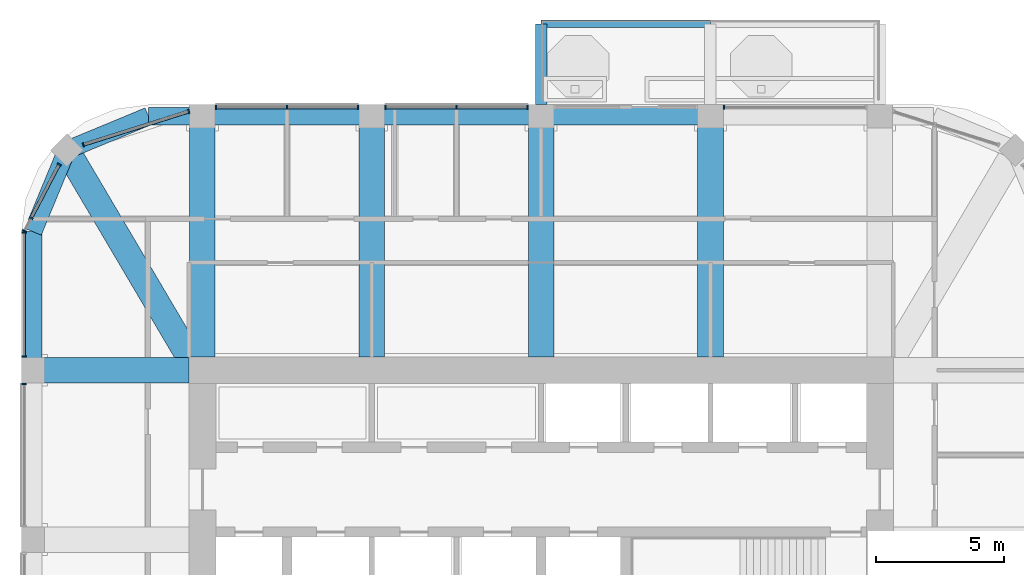
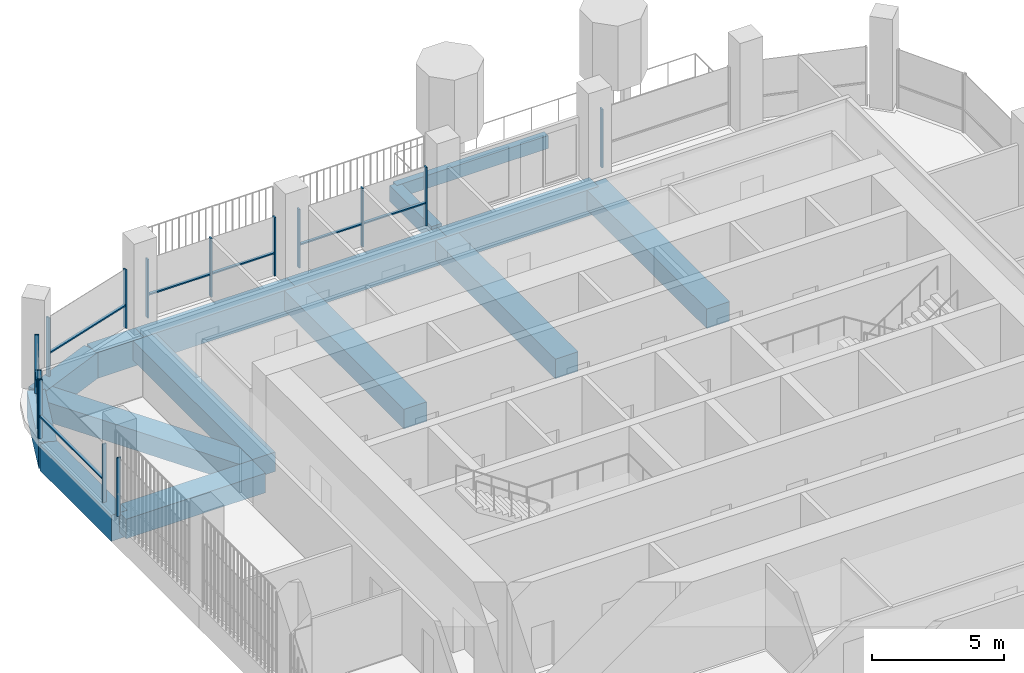
# One storey, part 6 of 21: 22 members, 15 beams, 7 elements without a shape of their own.
"""IFC4 building model written with IfcOpenShell, lengths in metres."""

from ifc_helpers import new_model, si_unit, direction, frame, origin, origin_2d, place, context, subcontext, project, spatial, rectangle, extrude, material, material_profile, profile_set, type_object, element, aggregate, save


model = new_model("IFC4")

# Units and contexts
model_context = context("Model", 3, precision=1e-05, world=origin(), true_north=direction((0.0, 1.0)))
body_context = subcontext(model_context, "Body", "Model", "MODEL_VIEW")
ifc_project = project(units=[si_unit("LENGTHUNIT", "METRE"), si_unit("AREAUNIT", "SQUARE_METRE"), si_unit("VOLUMEUNIT", "CUBIC_METRE"), si_unit("PLANEANGLEUNIT", "RADIAN"), si_unit("MASSUNIT", "GRAM", prefix="KILO")], contexts=[model_context])

# Site, building, storey
site_placement = place(None, origin())
site = spatial("IfcSite", under=ifc_project, at=site_placement, CompositionType="ELEMENT")
building_placement = place(site_placement, origin())
building = spatial("IfcBuilding", under=site, at=building_placement, Name="Cobogo Forest Laboratory Tower", CompositionType="ELEMENT")
storey_placement = place(building_placement, frame((0.0, 0.0, 275.39990234375)))
storey = spatial("IfcBuildingStorey", under=building, at=storey_placement, Name="L63", CompositionType="ELEMENT", Elevation=275.39990234375)

# Beams
ifc_material_1 = material(Name="Concrete HA-40 (C40/50)", Category="concrete")
ifc_material_profile_1 = material_profile(ifc_material_1, rectangle(XDim=0.449951171875, YDim=0.75, at=origin_2d()), Name="RC 450x750")
ifc_profile_set_1 = profile_set([ifc_material_profile_1], Name="Concrete HA-40 (C40/50)")
beam_type_1 = type_object("IfcBeamType", Name="Balcony cantilever beam 450x750", PredefinedType="BEAM", material=ifc_profile_set_1)
beam_1_placement = place(storey_placement, frame((26.39990234375, 43.35009765625, -0.625), z_axis=(0.0, 1.0, 0.0), x_axis=(-1.0, 0.0, 0.0)))
element("IfcBeam", 1, at=beam_1_placement, inside=storey, type_object=beam_type_1, Name="CB1 BAL-N1-C1 L63", PredefinedType="BEAM", context=body_context, shape_type="SweptSolid", body=[
    extrude(rectangle(XDim=0.449951171875, YDim=0.75, at=origin_2d()), origin(), (0.0, 0.0, 1.0), 3.14990234375),
])
ifc_material_profile_2 = material_profile(ifc_material_1, rectangle(XDim=0.300048828125, YDim=0.60009765625, at=origin_2d()), Name="RC 300x600")
ifc_profile_set_2 = profile_set([ifc_material_profile_2], Name="Concrete HA-40 (C40/50)")
beam_type_2 = type_object("IfcBeamType", Name="Balcony edge beam 300x600", PredefinedType="BEAM", material=ifc_profile_set_2)
beam_2_placement = place(storey_placement, frame((26.39990234375, 46.5, -0.5498046875), z_axis=(1.0, 0.0, 0.0), x_axis=(0.0, 1.0, 0.0)))
element("IfcBeam", 2, at=beam_2_placement, inside=storey, type_object=beam_type_2, Name="BB1 BAL-N1-T1 L63", PredefinedType="BEAM", context=body_context, shape_type="SweptSolid", body=[
    extrude(rectangle(XDim=0.300048828125, YDim=0.60009765625, at=origin_2d()), origin(), (0.0, 0.0, 1.0), 6.60009765625),
])

# Curtain wall, member
ifc_material_2 = material(Name="Aluminium curtain wall", Category="aluminium")
curtain_wall_type = type_object("IfcCurtainWallType", Name="CW-2 unitised curtain wall, solar control glazing, laboratory floors zones C and D", PredefinedType="USERDEFINED", material=ifc_material_2)
curtain_wall_1_placement = place(storey_placement, origin())
curtain_wall_1 = element("IfcCurtainWall", 3, at=curtain_wall_1_placement, inside=storey, type_object=curtain_wall_type, Name="Curtain wall 14 L63", ObjectType="UNITISED CURTAIN WALL", PredefinedType="USERDEFINED")
ifc_material_3 = material(Name="Aluminium mullion", Category="aluminium")
ifc_material_profile_3 = material_profile(ifc_material_3, rectangle(XDim=0.06005859375, YDim=0.159912109375, at=origin_2d()), Name="AL 60x160")
ifc_profile_set_3 = profile_set([ifc_material_profile_3], Name="Aluminium mullion")
member_type_1 = type_object("IfcMemberType", Name="MU-1 aluminium mullion 60x160", PredefinedType="MULLION", material=ifc_profile_set_3)
member_1_placement = place(storey_placement, frame((33.530029296875, 43.25, 0.0), z_axis=(0.0, 0.0, 1.0), x_axis=(-1.0, 0.0, 0.0)))
member_1 = element("IfcMember", 4, at=member_1_placement, type_object=member_type_1, Name="CW-2 mullion 2", PredefinedType="MULLION", context=body_context, shape_type="SweptSolid", body=[
    extrude(rectangle(XDim=0.06005859375, YDim=0.159912109375, at=origin_2d()), origin(), (0.0, 0.0, 1.0), 2.7001953125),
])
aggregate(curtain_wall_1, [member_1])

# Curtain wall, members
curtain_wall_2_placement = place(storey_placement, origin())
curtain_wall_2 = element("IfcCurtainWall", 5, at=curtain_wall_2_placement, inside=storey, type_object=curtain_wall_type, Name="Curtain wall 16 L63", ObjectType="UNITISED CURTAIN WALL", PredefinedType="USERDEFINED")
member_2_placement = place(storey_placement, frame((25.8701171875, 43.25, 0.0), z_axis=(0.0, 0.0, 1.0), x_axis=(-1.0, 0.0, 0.0)))
member_2 = element("IfcMember", 6, at=member_2_placement, type_object=member_type_1, Name="CW-2 mullion 1", PredefinedType="MULLION", context=body_context, shape_type="SweptSolid", body=[
    extrude(rectangle(XDim=0.06005859375, YDim=0.159912109375, at=origin_2d()), origin(), (0.0, 0.0, 1.0), 2.7001953125),
])
member_3_placement = place(storey_placement, frame((23.10009765625, 43.25, 0.0), z_axis=(0.0, 0.0, 1.0), x_axis=(-1.0, 0.0, 0.0)))
member_3 = element("IfcMember", 7, at=member_3_placement, type_object=member_type_1, Name="CW-2 mullion 2", PredefinedType="MULLION", context=body_context, shape_type="SweptSolid", body=[
    extrude(rectangle(XDim=0.06005859375, YDim=0.159912109375, at=origin_2d()), origin(), (0.0, 0.0, 1.0), 2.7001953125),
])
member_4_placement = place(storey_placement, frame((20.330078125, 43.25, 0.0), z_axis=(0.0, 0.0, 1.0), x_axis=(-1.0, 0.0, 0.0)))
member_4 = element("IfcMember", 8, at=member_4_placement, type_object=member_type_1, Name="CW-2 mullion 3", PredefinedType="MULLION", context=body_context, shape_type="SweptSolid", body=[
    extrude(rectangle(XDim=0.06005859375, YDim=0.159912109375, at=origin_2d()), origin(), (0.0, 0.0, 1.0), 2.7001953125),
])

curtain_wall_3_placement = place(storey_placement, origin())
curtain_wall_3 = element("IfcCurtainWall", 9, at=curtain_wall_3_placement, inside=storey, type_object=curtain_wall_type, Name="Curtain wall 17 L63", ObjectType="UNITISED CURTAIN WALL", PredefinedType="USERDEFINED")
member_5_placement = place(storey_placement, frame((19.27001953125, 43.25, 0.0), z_axis=(0.0, 0.0, 1.0), x_axis=(-1.0, 0.0, 0.0)))
member_5 = element("IfcMember", 10, at=member_5_placement, type_object=member_type_1, Name="CW-2 mullion 1", PredefinedType="MULLION", context=body_context, shape_type="SweptSolid", body=[
    extrude(rectangle(XDim=0.06005859375, YDim=0.159912109375, at=origin_2d()), origin(), (0.0, 0.0, 1.0), 2.7001953125),
])
member_6_placement = place(storey_placement, frame((16.5, 43.25, 0.0), z_axis=(0.0, 0.0, 1.0), x_axis=(-1.0, 0.0, 0.0)))
member_6 = element("IfcMember", 11, at=member_6_placement, type_object=member_type_1, Name="CW-2 mullion 2", PredefinedType="MULLION", context=body_context, shape_type="SweptSolid", body=[
    extrude(rectangle(XDim=0.06005859375, YDim=0.159912109375, at=origin_2d()), origin(), (0.0, 0.0, 1.0), 2.7001953125),
])
member_7_placement = place(storey_placement, frame((13.72998046875, 43.25, 0.0), z_axis=(0.0, 0.0, 1.0), x_axis=(-1.0, 0.0, 0.0)))
member_7 = element("IfcMember", 12, at=member_7_placement, type_object=member_type_1, Name="CW-2 mullion 3", PredefinedType="MULLION", context=body_context, shape_type="SweptSolid", body=[
    extrude(rectangle(XDim=0.06005859375, YDim=0.159912109375, at=origin_2d()), origin(), (0.0, 0.0, 1.0), 2.7001953125),
])

curtain_wall_4_placement = place(storey_placement, origin())
curtain_wall_4 = element("IfcCurtainWall", 13, at=curtain_wall_4_placement, inside=storey, type_object=curtain_wall_type, Name="Curtain wall 18 L63", ObjectType="UNITISED CURTAIN WALL", PredefinedType="USERDEFINED")
member_8_placement = place(storey_placement, frame((12.67138671875, 43.0830078125, 0.0), z_axis=(0.0, 0.0, 1.0), x_axis=(-0.953581379409, -0.301135439371, 0.0)))
member_8 = element("IfcMember", 14, at=member_8_placement, type_object=member_type_1, Name="CW-2 mullion 1", PredefinedType="MULLION", context=body_context, shape_type="SweptSolid", body=[
    extrude(rectangle(XDim=0.06005859375, YDim=0.159912109375, at=origin_2d()), origin(), (0.0, 0.0, 1.0), 2.7001953125),
])
member_9_placement = place(storey_placement, frame((8.570068359375, 41.787841796875, 0.0), z_axis=(0.0, 0.0, 1.0), x_axis=(-0.953581379409, -0.301135439371, 0.0)))
member_9 = element("IfcMember", 15, at=member_9_placement, type_object=member_type_1, Name="CW-2 mullion 2", PredefinedType="MULLION", context=body_context, shape_type="SweptSolid", body=[
    extrude(rectangle(XDim=0.06005859375, YDim=0.159912109375, at=origin_2d()), origin(), (0.0, 0.0, 1.0), 2.7001953125),
])

curtain_wall_5_placement = place(storey_placement, origin())
curtain_wall_5 = element("IfcCurtainWall", 16, at=curtain_wall_5_placement, inside=storey, type_object=curtain_wall_type, Name="Curtain wall 19 L63", ObjectType="UNITISED CURTAIN WALL", PredefinedType="USERDEFINED")
member_10_placement = place(storey_placement, frame((7.6220703125, 41.017333984375, 0.0), z_axis=(0.0, 0.0, 1.0), x_axis=(-0.464283778337, -0.885686498245, 0.0)))
member_10 = element("IfcMember", 17, at=member_10_placement, type_object=member_type_1, Name="CW-2 mullion 1", PredefinedType="MULLION", context=body_context, shape_type="SweptSolid", body=[
    extrude(rectangle(XDim=0.06005859375, YDim=0.159912109375, at=origin_2d()), origin(), (0.0, 0.0, 1.0), 2.7001953125),
])
member_11_placement = place(storey_placement, frame((6.531494140625, 38.937255859375, 0.0), z_axis=(0.0, 0.0, 1.0), x_axis=(-0.464283778337, -0.885686498245, 0.0)))
member_11 = element("IfcMember", 18, at=member_11_placement, type_object=member_type_1, Name="CW-2 mullion 2", PredefinedType="MULLION", context=body_context, shape_type="SweptSolid", body=[
    extrude(rectangle(XDim=0.06005859375, YDim=0.159912109375, at=origin_2d()), origin(), (0.0, 0.0, 1.0), 2.7001953125),
])
member_12_placement = place(storey_placement, frame((6.263916015625, 38.426513671875, 0.0), z_axis=(0.0, 0.0, 1.0), x_axis=(-0.464283778337, -0.885686498245, 0.0)))
member_12 = element("IfcMember", 19, at=member_12_placement, type_object=member_type_1, Name="CW-2 mullion 3", PredefinedType="MULLION", context=body_context, shape_type="SweptSolid", body=[
    extrude(rectangle(XDim=0.06005859375, YDim=0.159912109375, at=origin_2d()), origin(), (0.0, 0.0, 1.0), 2.7001953125),
])

curtain_wall_6_placement = place(storey_placement, origin())
curtain_wall_6 = element("IfcCurtainWall", 20, at=curtain_wall_6_placement, inside=storey, type_object=curtain_wall_type, Name="Curtain wall 20 L63", ObjectType="UNITISED CURTAIN WALL", PredefinedType="USERDEFINED")
member_13_placement = place(storey_placement, frame((6.25, 38.3701171875, 0.0), z_axis=(0.0, 0.0, 1.0), x_axis=(0.0, -1.0, 0.0)))
member_13 = element("IfcMember", 21, at=member_13_placement, type_object=member_type_1, Name="CW-2 mullion 1", PredefinedType="MULLION", context=body_context, shape_type="SweptSolid", body=[
    extrude(rectangle(XDim=0.06005859375, YDim=0.159912109375, at=origin_2d()), origin(), (0.0, 0.0, 1.0), 2.7001953125),
])
member_14_placement = place(storey_placement, frame((6.25, 33.530029296875, 0.0), z_axis=(0.0, 0.0, 1.0), x_axis=(0.0, -1.0, 0.0)))
member_14 = element("IfcMember", 22, at=member_14_placement, type_object=member_type_1, Name="CW-2 mullion 2", PredefinedType="MULLION", context=body_context, shape_type="SweptSolid", body=[
    extrude(rectangle(XDim=0.06005859375, YDim=0.159912109375, at=origin_2d()), origin(), (0.0, 0.0, 1.0), 2.7001953125),
])

# Curtain wall, member
curtain_wall_7_placement = place(storey_placement, origin())
curtain_wall_7 = element("IfcCurtainWall", 23, at=curtain_wall_7_placement, inside=storey, type_object=curtain_wall_type, Name="Curtain wall 21 L63", ObjectType="UNITISED CURTAIN WALL", PredefinedType="USERDEFINED")
member_15_placement = place(storey_placement, frame((6.25, 32.469970703125, 0.0), z_axis=(0.0, 0.0, 1.0), x_axis=(0.0, -1.0, 0.0)))
member_15 = element("IfcMember", 24, at=member_15_placement, type_object=member_type_1, Name="CW-2 mullion 1", PredefinedType="MULLION", context=body_context, shape_type="SweptSolid", body=[
    extrude(rectangle(XDim=0.06005859375, YDim=0.159912109375, at=origin_2d()), origin(), (0.0, 0.0, 1.0), 2.7001953125),
])
aggregate(curtain_wall_7, [member_15])

# Beams
ifc_material_profile_4 = material_profile(ifc_material_1, rectangle(XDim=1.0, YDim=0.89990234375, at=origin_2d()), Name="RC 1000x900")
ifc_profile_set_4 = profile_set([ifc_material_profile_4], Name="Concrete HA-40 (C40/50)")
beam_type_3 = type_object("IfcBeamType", Name="Office floor wide beam 1000x900", PredefinedType="BEAM", material=ifc_profile_set_4)
for number, where, z_axis, x_axis, name in (
    (25, (13.199951171875, 33.52490234375, -0.75), (0.0, 1.0, 0.0), (-1.0, 0.0, 0.0), "RB2 R-3-N L63"),
    (26, (19.800048828125, 33.52490234375, -0.75), (0.0, 1.0, 0.0), (-1.0, 0.0, 0.0), "RB2 R-4-N L63"),
    (27, (26.39990234375, 33.52490234375, -0.75), (0.0, 1.0, 0.0), (-1.0, 0.0, 0.0), "RB2 R-5-N L63"),
    (28, (33.0, 33.52490234375, -0.75), (0.0, 1.0, 0.0), (-1.0, 0.0, 0.0), "RB2 R-6-N L63"),
):
    element("IfcBeam", number, at=place(storey_placement, frame(where, z_axis=z_axis, x_axis=x_axis)), inside=storey, type_object=beam_type_3, Name=name, PredefinedType="BEAM", context=body_context, shape_type="SweptSolid", body=[
        extrude(rectangle(XDim=1.0, YDim=0.89990234375, at=origin_2d()), origin(), (0.0, 0.0, 1.0), 9.375),
    ])
beam_3_placement = place(storey_placement, frame((12.675048828125, 33.0, -0.75), z_axis=(-1.0, 0.0, 0.0), x_axis=(0.0, -1.0, 0.0)))
element("IfcBeam", 29, at=beam_3_placement, inside=storey, type_object=beam_type_3, Name="RB2 R-F-W L63", PredefinedType="BEAM", context=body_context, shape_type="SweptSolid", body=[
    extrude(rectangle(XDim=1.0, YDim=0.89990234375, at=origin_2d()), origin(), (0.0, 0.0, 1.0), 6.074951171875),
])
beam_4_placement = place(storey_placement, frame((7.91796875, 41.58203125, -0.75), z_axis=(0.508416325908, -0.861111397875, 0.0), x_axis=(0.861111397875, 0.508416325908, 0.0)))
element("IfcBeam", 30, at=beam_4_placement, inside=storey, type_object=beam_type_3, Name="RB2 G-NW-D1 L63", PredefinedType="BEAM", context=body_context, shape_type="SweptSolid", body=[
    extrude(rectangle(XDim=1.0, YDim=0.89990234375, at=origin_2d()), origin(), (0.0, 0.0, 1.0), 9.356689453125),
])
ifc_material_profile_5 = material_profile(ifc_material_1, rectangle(XDim=0.699951171875, YDim=1.199951171875, at=origin_2d()), Name="RC 700x1200")
ifc_profile_set_5 = profile_set([ifc_material_profile_5], Name="Concrete HA-40 (C40/50)")
beam_type_4 = type_object("IfcBeamType", Name="Perimeter edge beam 700x1200", PredefinedType="BEAM", material=ifc_profile_set_5)
beam_5_placement = place(storey_placement, frame((13.199951171875, 42.89990234375, -0.89990234375), z_axis=(1.0, 0.0, 0.0), x_axis=(0.0, 1.0, 0.0)))
element("IfcBeam", 31, at=beam_5_placement, inside=storey, type_object=beam_type_4, Name="EB1 E-N1 L63", PredefinedType="BEAM", context=body_context, shape_type="SweptSolid", body=[
    extrude(rectangle(XDim=0.699951171875, YDim=1.199951171875, at=origin_2d()), origin(), (0.0, 0.0, 1.0), 6.60009765625),
])
beam_6_placement = place(storey_placement, frame((19.800048828125, 42.89990234375, -0.89990234375), z_axis=(1.0, 0.0, 0.0), x_axis=(0.0, 1.0, 0.0)))
element("IfcBeam", 32, at=beam_6_placement, inside=storey, type_object=beam_type_4, Name="EB1 E-N2 L63", PredefinedType="BEAM", context=body_context, shape_type="SweptSolid", body=[
    extrude(rectangle(XDim=0.699951171875, YDim=1.199951171875, at=origin_2d()), origin(), (0.0, 0.0, 1.0), 6.599853515625),
])
beam_7_placement = place(storey_placement, frame((26.39990234375, 42.89990234375, -0.89990234375), z_axis=(1.0, 0.0, 0.0), x_axis=(0.0, 1.0, 0.0)))
element("IfcBeam", 33, at=beam_7_placement, inside=storey, type_object=beam_type_4, Name="EB1 E-N3 L63", PredefinedType="BEAM", context=body_context, shape_type="SweptSolid", body=[
    extrude(rectangle(XDim=0.699951171875, YDim=1.199951171875, at=origin_2d()), origin(), (0.0, 0.0, 1.0), 6.60009765625),
])
beam_8_placement = place(storey_placement, frame((13.199951171875, 42.89990234375, -0.89990234375), z_axis=(-1.0, 0.0, 0.0), x_axis=(0.0, -1.0, 0.0)))
element("IfcBeam", 34, at=beam_8_placement, inside=storey, type_object=beam_type_4, Name="EB1 E-NWN1 L63", PredefinedType="BEAM", context=body_context, shape_type="SweptSolid", body=[
    extrude(rectangle(XDim=0.699951171875, YDim=1.199951171875, at=origin_2d()), origin(), (0.0, 0.0, 1.0), 2.099853515625),
])
beam_9_placement = place(storey_placement, frame((11.10009765625, 42.89990234375, -0.89990234375), z_axis=(-0.923901072997, -0.382631424892, 0.0), x_axis=(0.382631424892, -0.923901072997, 0.0)))
element("IfcBeam", 35, at=beam_9_placement, inside=storey, type_object=beam_type_4, Name="EB1 E-NWN2 L63", PredefinedType="BEAM", context=body_context, shape_type="SweptSolid", body=[
    extrude(rectangle(XDim=0.699951171875, YDim=1.199951171875, at=origin_2d()), origin(), (0.0, 0.0, 1.0), 3.4443359375),
])
beam_10_placement = place(storey_placement, frame((6.60009765625, 33.0, -0.89990234375), z_axis=(0.0, 1.0, 0.0), x_axis=(-1.0, 0.0, 0.0)))
element("IfcBeam", 36, at=beam_10_placement, inside=storey, type_object=beam_type_4, Name="EB1 E-NWW1 L63", PredefinedType="BEAM", context=body_context, shape_type="SweptSolid", body=[
    extrude(rectangle(XDim=0.699951171875, YDim=1.199951171875, at=origin_2d()), origin(), (0.0, 0.0, 1.0), 5.39990234375),
])
beam_11_placement = place(storey_placement, frame((6.60009765625, 38.39990234375, -0.89990234375), z_axis=(0.382631424892, 0.923901072997, 0.0), x_axis=(-0.923901072997, 0.382631424892, 0.0)))
element("IfcBeam", 37, at=beam_11_placement, inside=storey, type_object=beam_type_4, Name="EB1 E-NWW2 L63", PredefinedType="BEAM", context=body_context, shape_type="SweptSolid", body=[
    extrude(rectangle(XDim=0.699951171875, YDim=1.199951171875, at=origin_2d()), origin(), (0.0, 0.0, 1.0), 3.4443359375),
])

# Member
ifc_material_4 = material(Name="Aluminium transom", Category="aluminium")
ifc_material_profile_6 = material_profile(ifc_material_4, rectangle(XDim=0.1201171875, YDim=0.06005859375, at=origin_2d()), Name="AL 60x120")
ifc_profile_set_6 = profile_set([ifc_material_profile_6], Name="Aluminium transom")
member_type_2 = type_object("IfcMemberType", Name="TR-1 aluminium transom 60x120", PredefinedType="USERDEFINED", material=ifc_profile_set_6)
member_16_placement = place(storey_placement, frame((25.840087890625, 43.25, 1.050048828125), z_axis=(-1.0, 0.0, 0.0), x_axis=(0.0, -1.0, 0.0)))
member_16 = element("IfcMember", 38, at=member_16_placement, type_object=member_type_2, Name="CW-2 transom 1.1", ObjectType="TRANSOM", PredefinedType="USERDEFINED", context=body_context, shape_type="SweptSolid", body=[
    extrude(rectangle(XDim=0.1201171875, YDim=0.06005859375, at=origin_2d()), origin(), (0.0, 0.0, 1.0), 2.710205078125),
])

member_17_placement = place(storey_placement, frame((23.070068359375, 43.25, 1.050048828125), z_axis=(-1.0, 0.0, 0.0), x_axis=(0.0, -1.0, 0.0)))
member_17 = element("IfcMember", 39, at=member_17_placement, type_object=member_type_2, Name="CW-2 transom 2.1", ObjectType="TRANSOM", PredefinedType="USERDEFINED", context=body_context, shape_type="SweptSolid", body=[
    extrude(rectangle(XDim=0.1201171875, YDim=0.06005859375, at=origin_2d()), origin(), (0.0, 0.0, 1.0), 2.7099609375),
])

aggregate(curtain_wall_2, [member_2, member_3, member_4, member_16, member_17])

member_18_placement = place(storey_placement, frame((19.239990234375, 43.25, 1.050048828125), z_axis=(-1.0, 0.0, 0.0), x_axis=(0.0, -1.0, 0.0)))
member_18 = element("IfcMember", 40, at=member_18_placement, type_object=member_type_2, Name="CW-2 transom 1.1", ObjectType="TRANSOM", PredefinedType="USERDEFINED", context=body_context, shape_type="SweptSolid", body=[
    extrude(rectangle(XDim=0.1201171875, YDim=0.06005859375, at=origin_2d()), origin(), (0.0, 0.0, 1.0), 2.7099609375),
])

member_19_placement = place(storey_placement, frame((16.469970703125, 43.25, 1.050048828125), z_axis=(-1.0, 0.0, 0.0), x_axis=(0.0, -1.0, 0.0)))
member_19 = element("IfcMember", 41, at=member_19_placement, type_object=member_type_2, Name="CW-2 transom 2.1", ObjectType="TRANSOM", PredefinedType="USERDEFINED", context=body_context, shape_type="SweptSolid", body=[
    extrude(rectangle(XDim=0.1201171875, YDim=0.06005859375, at=origin_2d()), origin(), (0.0, 0.0, 1.0), 2.7099609375),
])

aggregate(curtain_wall_3, [member_5, member_6, member_7, member_18, member_19])

member_20_placement = place(storey_placement, frame((12.642822265625, 43.073974609375, 1.050048828125), z_axis=(-0.953583535148, -0.30112861288, 0.0), x_axis=(0.30112861288, -0.953583535148, 0.0)))
member_20 = element("IfcMember", 42, at=member_20_placement, type_object=member_type_2, Name="CW-2 transom 1.1", ObjectType="TRANSOM", PredefinedType="USERDEFINED", context=body_context, shape_type="SweptSolid", body=[
    extrude(rectangle(XDim=0.1201171875, YDim=0.06005859375, at=origin_2d()), origin(), (0.0, 0.0, 1.0), 4.240966796875),
])

aggregate(curtain_wall_4, [member_8, member_9, member_20])

member_21_placement = place(storey_placement, frame((7.608154296875, 40.99072265625, 1.050048828125), z_axis=(-0.464325829823, -0.885664453255, 0.0), x_axis=(0.885664453255, -0.464325829823, 0.0)))
member_21 = element("IfcMember", 43, at=member_21_placement, type_object=member_type_2, Name="CW-2 transom 1.1", ObjectType="TRANSOM", PredefinedType="USERDEFINED", context=body_context, shape_type="SweptSolid", body=[
    extrude(rectangle(XDim=0.1201171875, YDim=0.06005859375, at=origin_2d()), origin(), (0.0, 0.0, 1.0), 2.288818359375),
])

aggregate(curtain_wall_5, [member_10, member_11, member_12, member_21])

member_22_placement = place(storey_placement, frame((6.25, 38.340087890625, 1.050048828125), z_axis=(0.0, -1.0, 0.0), x_axis=(1.0, 0.0, 0.0)))
member_22 = element("IfcMember", 44, at=member_22_placement, type_object=member_type_2, Name="CW-2 transom 1.1", ObjectType="TRANSOM", PredefinedType="USERDEFINED", context=body_context, shape_type="SweptSolid", body=[
    extrude(rectangle(XDim=0.1201171875, YDim=0.06005859375, at=origin_2d()), origin(), (0.0, 0.0, 1.0), 4.780029296875),
])

aggregate(curtain_wall_6, [member_13, member_14, member_22])

save(model, "model.ifc")
